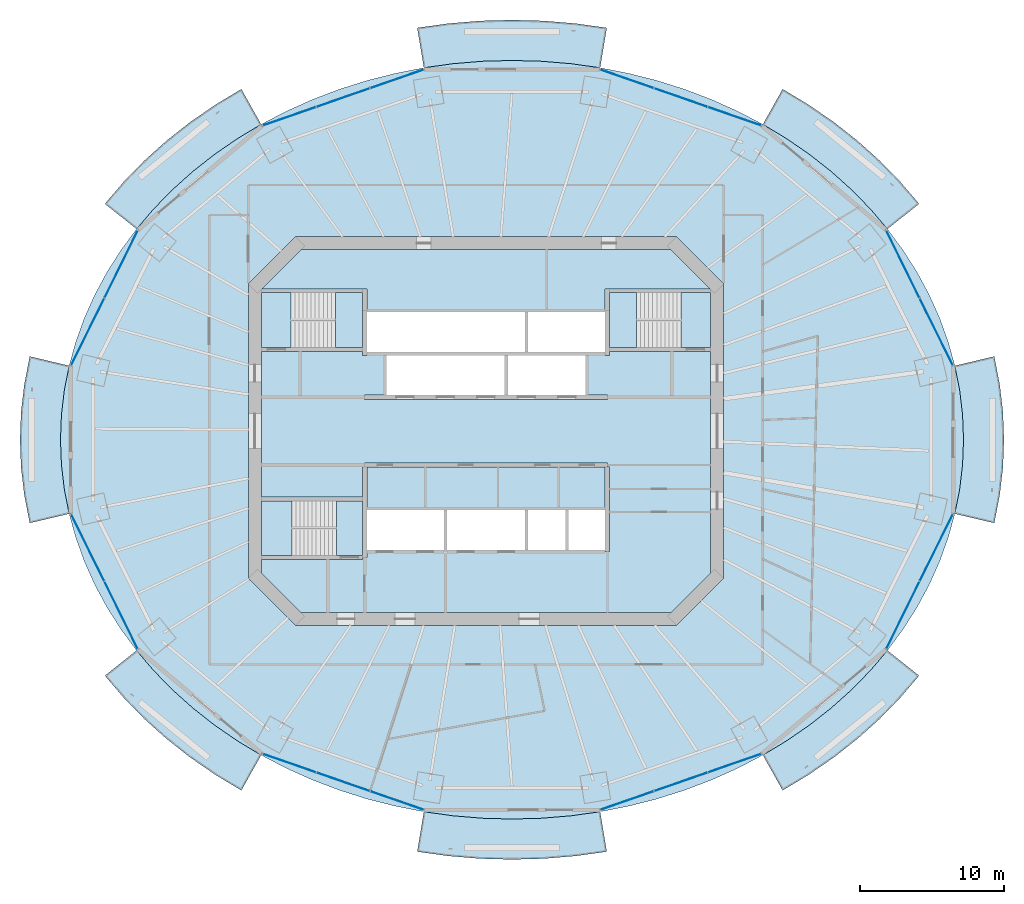
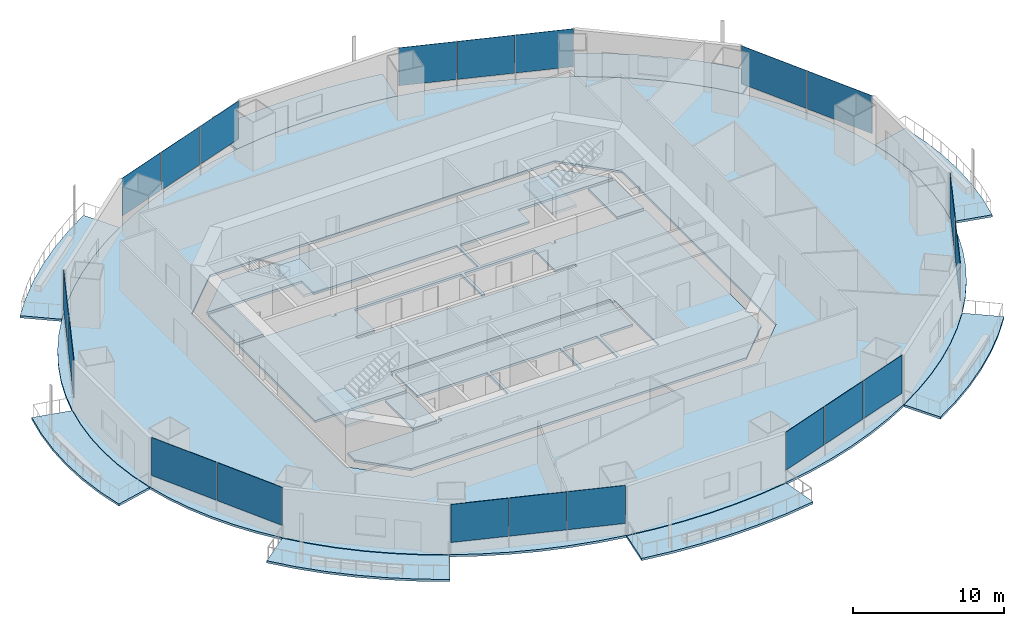
# One storey, part 10 of 20: 20 plates, 16 slabs, 11 elements without a shape of their own.
"""IFC4 building model written with IfcOpenShell, lengths in metres."""

from ifc_helpers import new_model, si_unit, direction, frame, origin, origin_2d, place, context, subcontext, project, spatial, polyline, rectangle, outline, extrude, material, layer, layer_set, type_object, element, aggregate, save


model = new_model("IFC4")

# Units and contexts
model_context = context("Model", 3, precision=1e-05, world=origin(), true_north=direction((0.0, 1.0)))
body_context = subcontext(model_context, "Body", "Model", "MODEL_VIEW")
ifc_project = project(units=[si_unit("LENGTHUNIT", "METRE"), si_unit("AREAUNIT", "SQUARE_METRE"), si_unit("VOLUMEUNIT", "CUBIC_METRE"), si_unit("PLANEANGLEUNIT", "RADIAN"), si_unit("MASSUNIT", "GRAM", prefix="KILO")], contexts=[model_context])

# Site, building, storey
site_placement = place(None, origin())
site = spatial("IfcSite", under=ifc_project, at=site_placement, CompositionType="ELEMENT")
building_placement = place(site_placement, origin())
building = spatial("IfcBuilding", under=site, at=building_placement, Name="Marenthal Gate Tower", CompositionType="ELEMENT")
storey_placement = place(building_placement, frame((0.0, 0.0, 215.0)))
storey = spatial("IfcBuildingStorey", under=building, at=storey_placement, Name="L47", CompositionType="ELEMENT", Elevation=215.0)

# Slabs
ifc_material_1 = material(Name="Concrete 40 MPa", Category="concrete")
ifc_layer_1 = layer(ifc_material_1, 0.179931640625)
ifc_layer_set_1 = layer_set([ifc_layer_1], Name="Balcony deck 180")
slab_type_1 = type_object("IfcSlabType", Name="Balcony deck 180", PredefinedType="USERDEFINED", material=ifc_layer_set_1)
slab_1_placement = place(storey_placement, frame((0.0, 0.0, -0.219970703125)))
element("IfcSlab", 1, at=slab_1_placement, inside=storey, type_object=slab_type_1, Name="Balcony deck L47 bay 2", ObjectType="BALCONY", PredefinedType="USERDEFINED", context=body_context, shape_type="SweptSolid", body=[
    extrude(outline(polyline([(27.783447265625, 13.983642578125), (26.59228515625, 15.3798828125), (25.294921875, 16.707763671875), (23.897216796875, 17.961669921875), (22.404541015625, 19.1357421875), (20.82373046875, 20.2255859375), (19.16162109375, 21.22607421875), (20.531982421875, 23.667724609375), (22.3408203125, 22.5791015625), (24.065185546875, 21.39013671875), (25.697998046875, 20.10546875), (27.23193359375, 18.72998046875), (28.65966796875, 17.2685546875), (29.974609375, 15.726806640625), (27.783447265625, 13.983642578125)])), origin(), (0.0, 0.0, 1.0), 0.179931640625),
])
slab_2_placement = place(storey_placement, frame((0.0, 0.0, -0.219970703125)))
element("IfcSlab", 2, at=slab_2_placement, inside=storey, type_object=slab_type_1, Name="Balcony deck L47 bay 4", ObjectType="BALCONY", PredefinedType="USERDEFINED", context=body_context, shape_type="SweptSolid", body=[
    extrude(outline(polyline([(7.896484375, 25.1455078125), (5.87890625, 25.42529296875), (3.84375, 25.59375), (1.800048828125, 25.64990234375), (-0.243896484375, 25.59375), (-2.27880859375, 25.42529296875), (-4.296630859375, 25.1455078125), (-4.758056640625, 27.9072265625), (-2.586669921875, 28.20849609375), (-0.397705078125, 28.3896484375), (1.800048828125, 28.449951171875), (3.997802734375, 28.3896484375), (6.186767578125, 28.20849609375), (8.358154296875, 27.9072265625), (7.896484375, 25.1455078125)])), origin(), (0.0, 0.0, 1.0), 0.179931640625),
])
slab_3_placement = place(storey_placement, frame((0.0, 0.0, -0.219970703125)))
element("IfcSlab", 3, at=slab_3_placement, inside=storey, type_object=slab_type_1, Name="Balcony deck L47 bay 6", ObjectType="BALCONY", PredefinedType="USERDEFINED", context=body_context, shape_type="SweptSolid", body=[
    extrude(outline(polyline([(-15.5615234375, 21.22607421875), (-17.223876953125, 20.2255859375), (-18.8046875, 19.1357421875), (-20.297119140625, 17.961669921875), (-21.695068359375, 16.707763671875), (-22.9921875, 15.3798828125), (-24.183349609375, 13.983642578125), (-26.374755859375, 15.726806640625), (-25.0595703125, 17.2685546875), (-23.6318359375, 18.72998046875), (-22.09814453125, 20.10546875), (-20.46533203125, 21.39013671875), (-18.74072265625, 22.5791015625), (-16.93212890625, 23.667724609375), (-15.5615234375, 21.22607421875)])), origin(), (0.0, 0.0, 1.0), 0.179931640625),
])
slab_4_placement = place(storey_placement, frame((0.0, 0.0, -0.219970703125)))
element("IfcSlab", 4, at=slab_4_placement, inside=storey, type_object=slab_type_1, Name="Balcony deck L47 bay 8", ObjectType="BALCONY", PredefinedType="USERDEFINED", context=body_context, shape_type="SweptSolid", body=[
    extrude(outline(polyline([(-28.849609375, 4.52099609375), (-29.1826171875, 2.826416015625), (-29.383056640625, 1.11669921875), (-29.449951171875, -0.60009765625), (-29.383056640625, -2.31689453125), (-29.1826171875, -4.0263671875), (-28.849609375, -5.72119140625), (-31.57421875, -6.3662109375), (-31.948974609375, -4.4599609375), (-32.174560546875, -2.53466796875), (-32.25, -0.60009765625), (-32.174560546875, 1.334716796875), (-31.948974609375, 3.259765625), (-31.57421875, 5.166259765625), (-28.849609375, 4.52099609375)])), origin(), (0.0, 0.0, 1.0), 0.179931640625),
])
slab_5_placement = place(storey_placement, frame((0.0, 0.0, -0.219970703125)))
element("IfcSlab", 5, at=slab_5_placement, inside=storey, type_object=slab_type_1, Name="Balcony deck L47 bay 10", ObjectType="BALCONY", PredefinedType="USERDEFINED", context=body_context, shape_type="SweptSolid", body=[
    extrude(outline(polyline([(-24.183349609375, -15.18359375), (-22.9921875, -16.580078125), (-21.695068359375, -17.90771484375), (-20.297119140625, -19.16162109375), (-18.8046875, -20.335693359375), (-17.223876953125, -21.425537109375), (-15.5615234375, -22.426025390625), (-16.93212890625, -24.86767578125), (-18.74072265625, -23.779052734375), (-20.46533203125, -22.590087890625), (-22.09814453125, -21.3056640625), (-23.6318359375, -19.929931640625), (-25.0595703125, -18.468505859375), (-26.374755859375, -16.9267578125), (-24.183349609375, -15.18359375)])), origin(), (0.0, 0.0, 1.0), 0.179931640625),
])
slab_6_placement = place(storey_placement, frame((0.0, 0.0, -0.219970703125)))
element("IfcSlab", 6, at=slab_6_placement, inside=storey, type_object=slab_type_1, Name="Balcony deck L47 bay 12", ObjectType="BALCONY", PredefinedType="USERDEFINED", context=body_context, shape_type="SweptSolid", body=[
    extrude(outline(polyline([(-4.296630859375, -26.345703125), (-2.27880859375, -26.62548828125), (-0.243896484375, -26.793701171875), (1.800048828125, -26.85009765625), (3.84375, -26.793701171875), (5.87890625, -26.62548828125), (7.896484375, -26.345703125), (8.358154296875, -29.107421875), (6.186767578125, -29.408447265625), (3.997802734375, -29.589599609375), (1.800048828125, -29.64990234375), (-0.397705078125, -29.589599609375), (-2.586669921875, -29.408447265625), (-4.758056640625, -29.107421875), (-4.296630859375, -26.345703125)])), origin(), (0.0, 0.0, 1.0), 0.179931640625),
])
slab_7_placement = place(storey_placement, frame((0.0, 0.0, -0.219970703125)))
element("IfcSlab", 7, at=slab_7_placement, inside=storey, type_object=slab_type_1, Name="Balcony deck L47 bay 14", ObjectType="BALCONY", PredefinedType="USERDEFINED", context=body_context, shape_type="SweptSolid", body=[
    extrude(outline(polyline([(19.16162109375, -22.426025390625), (20.82373046875, -21.425537109375), (22.404541015625, -20.335693359375), (23.897216796875, -19.16162109375), (25.294921875, -17.90771484375), (26.59228515625, -16.580078125), (27.783447265625, -15.18359375), (29.974609375, -16.9267578125), (28.65966796875, -18.468505859375), (27.23193359375, -19.929931640625), (25.697998046875, -21.3056640625), (24.065185546875, -22.590087890625), (22.3408203125, -23.779052734375), (20.531982421875, -24.86767578125), (19.16162109375, -22.426025390625)])), origin(), (0.0, 0.0, 1.0), 0.179931640625),
])
slab_8_placement = place(storey_placement, frame((0.0, 0.0, -0.219970703125)))
element("IfcSlab", 8, at=slab_8_placement, inside=storey, type_object=slab_type_1, Name="Balcony deck L47 bay 16", ObjectType="BALCONY", PredefinedType="USERDEFINED", context=body_context, shape_type="SweptSolid", body=[
    extrude(outline(polyline([(32.449462890625, -5.72119140625), (32.78271484375, -4.0263671875), (32.983154296875, -2.31689453125), (33.050048828125, -0.60009765625), (32.983154296875, 1.11669921875), (32.78271484375, 2.826416015625), (32.449462890625, 4.52099609375), (35.174072265625, 5.166259765625), (35.548828125, 3.259765625), (35.774658203125, 1.334716796875), (35.85009765625, -0.60009765625), (35.774658203125, -2.53466796875), (35.548828125, -4.4599609375), (35.174072265625, -6.3662109375), (32.449462890625, -5.72119140625)])), origin(), (0.0, 0.0, 1.0), 0.179931640625),
])
ifc_material_2 = material(Name="Concrete 50 MPa", Category="concrete")
ifc_layer_2 = layer(ifc_material_2, 0.179931640625)
ifc_layer_set_2 = layer_set([ifc_layer_2], Name="Core floor slab 180")
slab_type_2 = type_object("IfcSlabType", Name="Core floor slab 180", PredefinedType="FLOOR", material=ifc_layer_set_2)
slab_9_placement = place(storey_placement, frame((0.0, 0.0, -0.179931640625)))
element("IfcSlab", 9, at=slab_9_placement, inside=storey, type_object=slab_type_2, Name="Core floor L47", PredefinedType="FLOOR", context=body_context, shape_type="SweptSolid", body=[
    extrude(outline(polyline([(12.813720703125, -12.550048828125), (-12.813720703125, -12.550048828125), (-15.550048828125, -9.813720703125), (-15.550048828125, -8.875), (-8.550048828125, -8.875), (-8.550048828125, -8.75), (-8.25, -8.75), (-8.25, -8.239990234375), (-5.60009765625, -8.239990234375), (-2.909912109375, -8.239990234375), (-2.909912109375, -5.4599609375), (-5.60009765625, -5.4599609375), (-8.25, -5.4599609375), (-8.25, -2.5), (8.25, -2.5), (8.25, -5.4599609375), (5.7099609375, -5.4599609375), (5.7099609375, -8.239990234375), (8.25, -8.239990234375), (8.25, -8.35009765625), (8.550048828125, -8.35009765625), (8.550048828125, -2.5), (8.39990234375, -2.5), (8.39990234375, -2.199951171875), (-8.39990234375, -2.199951171875), (-8.39990234375, -2.5), (-8.550048828125, -2.5), (-8.550048828125, -4.574951171875), (-15.550048828125, -4.574951171875), (-15.550048828125, 5.52490234375), (-8.550048828125, 5.52490234375), (-8.550048828125, 5.239990234375), (-8.25, 5.239990234375), (-8.25, 5.4599609375), (-5.60009765625, 5.4599609375), (-2.800048828125, 5.4599609375), (0.0, 5.4599609375), (2.68994140625, 5.4599609375), (2.68994140625, 8.239990234375), (0.0, 8.239990234375), (-2.800048828125, 8.239990234375), (-5.60009765625, 8.239990234375), (-8.25, 8.239990234375), (-8.25, 8.35009765625), (-8.25, 9.824951171875), (-8.550048828125, 9.824951171875), (-15.53857421875, 9.824951171875), (-12.813720703125, 12.550048828125), (12.813720703125, 12.550048828125), (15.53857421875, 9.824951171875), (8.550048828125, 9.824951171875), (8.25, 9.824951171875), (8.25, 8.35009765625), (8.25, 8.239990234375), (5.60009765625, 8.239990234375), (2.909912109375, 8.239990234375), (2.909912109375, 5.4599609375), (5.60009765625, 5.4599609375), (8.25, 5.4599609375), (8.25, 5.239990234375), (8.550048828125, 5.239990234375), (8.550048828125, 5.52490234375), (15.550048828125, 5.52490234375), (15.550048828125, -9.813720703125), (12.813720703125, -12.550048828125)]), holes=[polyline([(2.68994140625, -8.239990234375), (2.68994140625, -5.4599609375), (0.0, -5.4599609375), (-2.68994140625, -5.4599609375), (-2.68994140625, -8.239990234375), (0.0, -8.239990234375), (2.68994140625, -8.239990234375)]), polyline([(-6.889892578125, 5.239990234375), (-6.889892578125, 2.5), (-8.39990234375, 2.5), (-8.39990234375, 2.199951171875), (8.39990234375, 2.199951171875), (8.39990234375, 2.5), (6.889892578125, 2.5), (6.889892578125, 5.239990234375), (4.199951171875, 5.239990234375), (1.510009765625, 5.239990234375), (1.510009765625, 2.5), (1.2900390625, 2.5), (1.2900390625, 5.239990234375), (-1.39990234375, 5.239990234375), (-4.199951171875, 5.239990234375), (-6.889892578125, 5.239990234375)]), polyline([(5.489990234375, -8.239990234375), (5.489990234375, -5.4599609375), (2.909912109375, -5.4599609375), (2.909912109375, -8.239990234375), (5.489990234375, -8.239990234375)])]), origin(), (0.0, 0.0, 1.0), 0.179931640625),
])
slab_10_placement = place(storey_placement, frame((0.0, 0.0, -0.179931640625)))
element("IfcSlab", 10, at=slab_10_placement, inside=storey, type_object=slab_type_2, Name="Core floor L47", PredefinedType="FLOOR", context=body_context, shape_type="SweptSolid", body=[
    extrude(outline(polyline([(15.550048828125, 5.77490234375), (13.5, 5.77490234375), (13.5, 9.574951171875), (15.550048828125, 9.574951171875), (15.550048828125, 5.77490234375)])), origin(), (0.0, 0.0, 1.0), 0.179931640625),
])
slab_11_placement = place(storey_placement, frame((0.0, 0.0, -0.179931640625)))
element("IfcSlab", 11, at=slab_11_placement, inside=storey, type_object=slab_type_2, Name="Core floor L47", PredefinedType="FLOOR", context=body_context, shape_type="SweptSolid", body=[
    extrude(outline(polyline([(-15.550048828125, 9.574951171875), (-13.5, 9.574951171875), (-13.5, 5.77490234375), (-15.550048828125, 5.77490234375), (-15.550048828125, 9.574951171875)])), origin(), (0.0, 0.0, 1.0), 0.179931640625),
])
slab_12_placement = place(storey_placement, frame((0.0, 0.0, -0.179931640625)))
element("IfcSlab", 12, at=slab_12_placement, inside=storey, type_object=slab_type_2, Name="Core floor L47", PredefinedType="FLOOR", context=body_context, shape_type="SweptSolid", body=[
    extrude(outline(polyline([(-8.550048828125, -8.625), (-10.35009765625, -8.625), (-10.35009765625, -4.824951171875), (-8.550048828125, -4.824951171875), (-8.550048828125, -8.625)])), origin(), (0.0, 0.0, 1.0), 0.179931640625),
])
ifc_material_3 = material(Name="Concrete 35 MPa", Category="concrete")
ifc_layer_3 = layer(ifc_material_3, 0.179931640625)
ifc_layer_set_3 = layer_set([ifc_layer_3], Name="Floor slab 180")
slab_type_3 = type_object("IfcSlabType", Name="Floor slab 180", PredefinedType="FLOOR", material=ifc_layer_set_3)
slab_13_placement = place(storey_placement, frame((0.0, 0.0, -0.179931640625)))
element("IfcSlab", 13, at=slab_13_placement, inside=storey, type_object=slab_type_3, Name="SL-L47-01", PredefinedType="FLOOR", context=body_context, shape_type="SweptSolid", body=[
    extrude(outline(polyline([(33.050048828125, -0.60009765625), (32.983154296875, 1.11669921875), (32.78271484375, 2.826416015625), (32.449462890625, 4.52099609375), (31.985107421875, 6.194091796875), (31.3916015625, 7.837890625), (30.671142578125, 9.4453125), (29.827392578125, 11.010009765625), (28.86328125, 12.52490234375), (27.783447265625, 13.983642578125), (26.59228515625, 15.3798828125), (25.294921875, 16.707763671875), (23.897216796875, 17.961669921875), (22.404541015625, 19.1357421875), (20.82373046875, 20.2255859375), (19.16162109375, 21.22607421875), (17.425048828125, 22.13330078125), (15.62158203125, 22.94287109375), (13.7587890625, 23.65185546875), (11.844970703125, 24.2568359375), (9.88818359375, 24.755615234375), (7.896484375, 25.1455078125), (5.87890625, 25.42529296875), (3.84375, 25.59375), (1.800048828125, 25.64990234375), (-0.243896484375, 25.59375), (-2.27880859375, 25.42529296875), (-4.296630859375, 25.1455078125), (-6.2880859375, 24.755615234375), (-8.2451171875, 24.2568359375), (-10.158935546875, 23.65185546875), (-12.021484375, 22.94287109375), (-13.824951171875, 22.13330078125), (-15.5615234375, 21.22607421875), (-17.223876953125, 20.2255859375), (-18.8046875, 19.1357421875), (-20.297119140625, 17.961669921875), (-21.695068359375, 16.707763671875), (-22.9921875, 15.3798828125), (-24.183349609375, 13.983642578125), (-25.26318359375, 12.52490234375), (-26.227294921875, 11.010009765625), (-27.0712890625, 9.4453125), (-27.79150390625, 7.837890625), (-28.38525390625, 6.194091796875), (-28.849609375, 4.52099609375), (-29.1826171875, 2.826416015625), (-29.383056640625, 1.11669921875), (-29.449951171875, -0.60009765625), (-29.383056640625, -2.31689453125), (-29.1826171875, -4.0263671875), (-28.849609375, -5.72119140625), (-28.38525390625, -7.39404296875), (-27.79150390625, -9.037841796875), (-27.0712890625, -10.6455078125), (-26.227294921875, -12.210205078125), (-25.26318359375, -13.72509765625), (-24.183349609375, -15.18359375), (-22.9921875, -16.580078125), (-21.695068359375, -17.90771484375), (-20.297119140625, -19.16162109375), (-18.8046875, -20.335693359375), (-17.223876953125, -21.425537109375), (-15.5615234375, -22.426025390625), (-13.824951171875, -23.333251953125), (-12.021484375, -24.142822265625), (-10.158935546875, -24.851806640625), (-8.2451171875, -25.456787109375), (-6.2880859375, -25.95556640625), (-4.296630859375, -26.345703125), (-2.27880859375, -26.62548828125), (-0.243896484375, -26.793701171875), (1.800048828125, -26.85009765625), (3.84375, -26.793701171875), (5.87890625, -26.62548828125), (7.896484375, -26.345703125), (9.88818359375, -25.95556640625), (11.844970703125, -25.456787109375), (13.7587890625, -24.851806640625), (15.62158203125, -24.142822265625), (17.425048828125, -23.333251953125), (19.16162109375, -22.426025390625), (20.82373046875, -21.425537109375), (22.404541015625, -20.335693359375), (23.897216796875, -19.16162109375), (25.294921875, -17.90771484375), (26.59228515625, -16.580078125), (27.783447265625, -15.18359375), (28.86328125, -13.72509765625), (29.827392578125, -12.210205078125), (30.671142578125, -10.6455078125), (31.3916015625, -9.037841796875), (31.985107421875, -7.39404296875), (32.449462890625, -5.72119140625), (32.78271484375, -4.0263671875), (32.983154296875, -2.31689453125), (33.050048828125, -0.60009765625)]), holes=[polyline([(13.186279296875, -13.449951171875), (16.449951171875, -10.186279296875), (16.449951171875, 10.186279296875), (13.186279296875, 13.449951171875), (-13.186279296875, 13.449951171875), (-16.449951171875, 10.186279296875), (-16.449951171875, -10.186279296875), (-13.186279296875, -13.449951171875), (13.186279296875, -13.449951171875)])]), origin(), (0.0, 0.0, 1.0), 0.179931640625),
])

# Curtain wall, plates
ifc_material_4 = material(Name="Aluminium and glass", Category="aluminium")
curtain_wall_type = type_object("IfcCurtainWallType", Name="Curtain wall typical mid", PredefinedType="NOTDEFINED", material=ifc_material_4)
curtain_wall_1_placement = place(storey_placement, origin())
curtain_wall_1 = element("IfcCurtainWall", 14, at=curtain_wall_1_placement, inside=storey, type_object=curtain_wall_type, Name="Curtain wall L47 bay 1", PredefinedType="NOTDEFINED")
ifc_material_5 = material(Name="Glass, laminated insulating unit", Category="glass")
ifc_layer_4 = layer(ifc_material_5, 0.030029296875)
ifc_layer_set_4 = layer_set([ifc_layer_4], Name="Glass panel 30 typical mid")
plate_type = type_object("IfcPlateType", Name="Glass panel 30 typical mid", PredefinedType="CURTAIN_PANEL", material=ifc_layer_set_4)
plate_1_placement = place(storey_placement, frame((31.1630859375, 6.865966796875, 0.89990234375), z_axis=(0.0, 0.0, 1.0), x_axis=(-0.442523466153, 0.896756924648, 0.0)))
plate_1 = element("IfcPlate", 15, at=plate_1_placement, type_object=plate_type, Name="Glass panel L47 bay 1.1", PredefinedType="CURTAIN_PANEL", context=body_context, shape_type="SweptSolid", body=[
    extrude(rectangle(XDim=5.161865234375, YDim=0.030029296875, at=origin_2d()), origin(), (0.0, 0.0, 1.0), 3.070068359375),
])
plate_2_placement = place(storey_placement, frame((28.852294921875, 11.548828125, 0.89990234375), z_axis=(0.0, 0.0, 1.0), x_axis=(-0.442523466153, 0.896756924648, 0.0)))
plate_2 = element("IfcPlate", 16, at=plate_2_placement, type_object=plate_type, Name="Glass panel L47 bay 1.2", PredefinedType="CURTAIN_PANEL", context=body_context, shape_type="SweptSolid", body=[
    extrude(rectangle(XDim=5.161865234375, YDim=0.030029296875, at=origin_2d()), origin(), (0.0, 0.0, 1.0), 3.070068359375),
])
aggregate(curtain_wall_1, [plate_1, plate_2])

curtain_wall_2_placement = place(storey_placement, origin())
curtain_wall_2 = element("IfcCurtainWall", 17, at=curtain_wall_2_placement, inside=storey, type_object=curtain_wall_type, Name="Curtain wall L47 bay 3", PredefinedType="NOTDEFINED")
plate_3_placement = place(storey_placement, frame((17.205810546875, 21.783203125, 0.89990234375), z_axis=(0.0, 0.0, 1.0), x_axis=(-0.944538576348, 0.328400483847, 0.0)))
plate_3 = element("IfcPlate", 18, at=plate_3_placement, type_object=plate_type, Name="Glass panel L47 bay 3.1", PredefinedType="CURTAIN_PANEL", context=body_context, shape_type="SweptSolid", body=[
    extrude(rectangle(XDim=3.880126953125, YDim=0.030029296875, at=origin_2d()), origin(), (0.0, 0.0, 1.0), 3.070068359375),
])
plate_4_placement = place(storey_placement, frame((13.484130859375, 23.0771484375, 0.89990234375), z_axis=(0.0, 0.0, 1.0), x_axis=(-0.944538576348, 0.328400483847, 0.0)))
plate_4 = element("IfcPlate", 19, at=plate_4_placement, type_object=plate_type, Name="Glass panel L47 bay 3.2", PredefinedType="CURTAIN_PANEL", context=body_context, shape_type="SweptSolid", body=[
    extrude(rectangle(XDim=3.880126953125, YDim=0.030029296875, at=origin_2d()), origin(), (0.0, 0.0, 1.0), 3.070068359375),
])
plate_5_placement = place(storey_placement, frame((9.762451171875, 24.37109375, 0.89990234375), z_axis=(0.0, 0.0, 1.0), x_axis=(-0.944538576348, 0.328400483847, 0.0)))
plate_5 = element("IfcPlate", 20, at=plate_5_placement, type_object=plate_type, Name="Glass panel L47 bay 3.3", PredefinedType="CURTAIN_PANEL", context=body_context, shape_type="SweptSolid", body=[
    extrude(rectangle(XDim=3.880126953125, YDim=0.030029296875, at=origin_2d()), origin(), (0.0, 0.0, 1.0), 3.070068359375),
])
aggregate(curtain_wall_2, [plate_3, plate_4, plate_5])

curtain_wall_3_placement = place(storey_placement, origin())
curtain_wall_3 = element("IfcCurtainWall", 21, at=curtain_wall_3_placement, inside=storey, type_object=curtain_wall_type, Name="Curtain wall L47 bay 5", PredefinedType="NOTDEFINED")
plate_6_placement = place(storey_placement, frame((-6.162353515625, 24.37109375, 0.89990234375), z_axis=(0.0, 0.0, 1.0), x_axis=(-0.944538576348, -0.328400483847, 0.0)))
plate_6 = element("IfcPlate", 22, at=plate_6_placement, type_object=plate_type, Name="Glass panel L47 bay 5.1", PredefinedType="CURTAIN_PANEL", context=body_context, shape_type="SweptSolid", body=[
    extrude(rectangle(XDim=3.880126953125, YDim=0.030029296875, at=origin_2d()), origin(), (0.0, 0.0, 1.0), 3.070068359375),
])
plate_7_placement = place(storey_placement, frame((-9.884033203125, 23.0771484375, 0.89990234375), z_axis=(0.0, 0.0, 1.0), x_axis=(-0.944538576348, -0.328400483847, 0.0)))
plate_7 = element("IfcPlate", 23, at=plate_7_placement, type_object=plate_type, Name="Glass panel L47 bay 5.2", PredefinedType="CURTAIN_PANEL", context=body_context, shape_type="SweptSolid", body=[
    extrude(rectangle(XDim=3.880126953125, YDim=0.030029296875, at=origin_2d()), origin(), (0.0, 0.0, 1.0), 3.070068359375),
])
plate_8_placement = place(storey_placement, frame((-13.605712890625, 21.783203125, 0.89990234375), z_axis=(0.0, 0.0, 1.0), x_axis=(-0.944538576348, -0.328400483847, 0.0)))
plate_8 = element("IfcPlate", 24, at=plate_8_placement, type_object=plate_type, Name="Glass panel L47 bay 5.3", PredefinedType="CURTAIN_PANEL", context=body_context, shape_type="SweptSolid", body=[
    extrude(rectangle(XDim=3.880126953125, YDim=0.030029296875, at=origin_2d()), origin(), (0.0, 0.0, 1.0), 3.070068359375),
])
aggregate(curtain_wall_3, [plate_6, plate_7, plate_8])

curtain_wall_4_placement = place(storey_placement, origin())
curtain_wall_4 = element("IfcCurtainWall", 25, at=curtain_wall_4_placement, inside=storey, type_object=curtain_wall_type, Name="Curtain wall L47 bay 7", PredefinedType="NOTDEFINED")
plate_9_placement = place(storey_placement, frame((-25.252197265625, 11.548828125, 0.89990234375), z_axis=(0.0, 0.0, 1.0), x_axis=(-0.442523466153, -0.896756924648, 0.0)))
plate_9 = element("IfcPlate", 26, at=plate_9_placement, type_object=plate_type, Name="Glass panel L47 bay 7.1", PredefinedType="CURTAIN_PANEL", context=body_context, shape_type="SweptSolid", body=[
    extrude(rectangle(XDim=5.161865234375, YDim=0.030029296875, at=origin_2d()), origin(), (0.0, 0.0, 1.0), 3.070068359375),
])
plate_10_placement = place(storey_placement, frame((-27.56298828125, 6.865966796875, 0.89990234375), z_axis=(0.0, 0.0, 1.0), x_axis=(-0.442523466153, -0.896756924648, 0.0)))
plate_10 = element("IfcPlate", 27, at=plate_10_placement, type_object=plate_type, Name="Glass panel L47 bay 7.2", PredefinedType="CURTAIN_PANEL", context=body_context, shape_type="SweptSolid", body=[
    extrude(rectangle(XDim=5.161865234375, YDim=0.030029296875, at=origin_2d()), origin(), (0.0, 0.0, 1.0), 3.070068359375),
])
aggregate(curtain_wall_4, [plate_9, plate_10])

curtain_wall_5_placement = place(storey_placement, origin())
curtain_wall_5 = element("IfcCurtainWall", 28, at=curtain_wall_5_placement, inside=storey, type_object=curtain_wall_type, Name="Curtain wall L47 bay 9", PredefinedType="NOTDEFINED")
plate_11_placement = place(storey_placement, frame((-27.563232421875, -8.06591796875, 0.89990234375), z_axis=(0.0, 0.0, 1.0), x_axis=(0.442523466153, -0.896756924648, 0.0)))
plate_11 = element("IfcPlate", 29, at=plate_11_placement, type_object=plate_type, Name="Glass panel L47 bay 9.1", PredefinedType="CURTAIN_PANEL", context=body_context, shape_type="SweptSolid", body=[
    extrude(rectangle(XDim=5.161865234375, YDim=0.030029296875, at=origin_2d()), origin(), (0.0, 0.0, 1.0), 3.070068359375),
])
plate_12_placement = place(storey_placement, frame((-25.252197265625, -12.748779296875, 0.89990234375), z_axis=(0.0, 0.0, 1.0), x_axis=(0.442523466153, -0.896756924648, 0.0)))
plate_12 = element("IfcPlate", 30, at=plate_12_placement, type_object=plate_type, Name="Glass panel L47 bay 9.2", PredefinedType="CURTAIN_PANEL", context=body_context, shape_type="SweptSolid", body=[
    extrude(rectangle(XDim=5.161865234375, YDim=0.030029296875, at=origin_2d()), origin(), (0.0, 0.0, 1.0), 3.070068359375),
])
aggregate(curtain_wall_5, [plate_11, plate_12])

curtain_wall_6_placement = place(storey_placement, origin())
curtain_wall_6 = element("IfcCurtainWall", 31, at=curtain_wall_6_placement, inside=storey, type_object=curtain_wall_type, Name="Curtain wall L47 bay 11", PredefinedType="NOTDEFINED")
plate_13_placement = place(storey_placement, frame((-13.605712890625, -22.983154296875, 0.89990234375), z_axis=(0.0, 0.0, 1.0), x_axis=(0.944538576348, -0.328400483847, 0.0)))
plate_13 = element("IfcPlate", 32, at=plate_13_placement, type_object=plate_type, Name="Glass panel L47 bay 11.1", PredefinedType="CURTAIN_PANEL", context=body_context, shape_type="SweptSolid", body=[
    extrude(rectangle(XDim=3.880126953125, YDim=0.030029296875, at=origin_2d()), origin(), (0.0, 0.0, 1.0), 3.070068359375),
])
plate_14_placement = place(storey_placement, frame((-9.884033203125, -24.277099609375, 0.89990234375), z_axis=(0.0, 0.0, 1.0), x_axis=(0.944538576348, -0.328400483847, 0.0)))
plate_14 = element("IfcPlate", 33, at=plate_14_placement, type_object=plate_type, Name="Glass panel L47 bay 11.2", PredefinedType="CURTAIN_PANEL", context=body_context, shape_type="SweptSolid", body=[
    extrude(rectangle(XDim=3.880126953125, YDim=0.030029296875, at=origin_2d()), origin(), (0.0, 0.0, 1.0), 3.070068359375),
])
plate_15_placement = place(storey_placement, frame((-6.162353515625, -25.571044921875, 0.89990234375), z_axis=(0.0, 0.0, 1.0), x_axis=(0.944538576348, -0.328400483847, 0.0)))
plate_15 = element("IfcPlate", 34, at=plate_15_placement, type_object=plate_type, Name="Glass panel L47 bay 11.3", PredefinedType="CURTAIN_PANEL", context=body_context, shape_type="SweptSolid", body=[
    extrude(rectangle(XDim=3.880126953125, YDim=0.030029296875, at=origin_2d()), origin(), (0.0, 0.0, 1.0), 3.070068359375),
])
aggregate(curtain_wall_6, [plate_13, plate_14, plate_15])

curtain_wall_7_placement = place(storey_placement, origin())
curtain_wall_7 = element("IfcCurtainWall", 35, at=curtain_wall_7_placement, inside=storey, type_object=curtain_wall_type, Name="Curtain wall L47 bay 13", PredefinedType="NOTDEFINED")
plate_16_placement = place(storey_placement, frame((9.762451171875, -25.571044921875, 0.89990234375), z_axis=(0.0, 0.0, 1.0), x_axis=(0.944538576348, 0.328400483847, 0.0)))
plate_16 = element("IfcPlate", 36, at=plate_16_placement, type_object=plate_type, Name="Glass panel L47 bay 13.1", PredefinedType="CURTAIN_PANEL", context=body_context, shape_type="SweptSolid", body=[
    extrude(rectangle(XDim=3.880126953125, YDim=0.030029296875, at=origin_2d()), origin(), (0.0, 0.0, 1.0), 3.070068359375),
])
plate_17_placement = place(storey_placement, frame((13.484130859375, -24.277099609375, 0.89990234375), z_axis=(0.0, 0.0, 1.0), x_axis=(0.944538576348, 0.328400483847, 0.0)))
plate_17 = element("IfcPlate", 37, at=plate_17_placement, type_object=plate_type, Name="Glass panel L47 bay 13.2", PredefinedType="CURTAIN_PANEL", context=body_context, shape_type="SweptSolid", body=[
    extrude(rectangle(XDim=3.880126953125, YDim=0.030029296875, at=origin_2d()), origin(), (0.0, 0.0, 1.0), 3.070068359375),
])
plate_18_placement = place(storey_placement, frame((17.205810546875, -22.983154296875, 0.89990234375), z_axis=(0.0, 0.0, 1.0), x_axis=(0.944538576348, 0.328400483847, 0.0)))
plate_18 = element("IfcPlate", 38, at=plate_18_placement, type_object=plate_type, Name="Glass panel L47 bay 13.3", PredefinedType="CURTAIN_PANEL", context=body_context, shape_type="SweptSolid", body=[
    extrude(rectangle(XDim=3.880126953125, YDim=0.030029296875, at=origin_2d()), origin(), (0.0, 0.0, 1.0), 3.070068359375),
])
aggregate(curtain_wall_7, [plate_16, plate_17, plate_18])

curtain_wall_8_placement = place(storey_placement, origin())
curtain_wall_8 = element("IfcCurtainWall", 39, at=curtain_wall_8_placement, inside=storey, type_object=curtain_wall_type, Name="Curtain wall L47 bay 15", PredefinedType="NOTDEFINED")
plate_19_placement = place(storey_placement, frame((28.852294921875, -12.748779296875, 0.89990234375), z_axis=(0.0, 0.0, 1.0), x_axis=(0.442523466153, 0.896756924648, 0.0)))
plate_19 = element("IfcPlate", 40, at=plate_19_placement, type_object=plate_type, Name="Glass panel L47 bay 15.1", PredefinedType="CURTAIN_PANEL", context=body_context, shape_type="SweptSolid", body=[
    extrude(rectangle(XDim=5.161865234375, YDim=0.030029296875, at=origin_2d()), origin(), (0.0, 0.0, 1.0), 3.070068359375),
])
plate_20_placement = place(storey_placement, frame((31.1630859375, -8.06591796875, 0.89990234375), z_axis=(0.0, 0.0, 1.0), x_axis=(0.442523466153, 0.896756924648, 0.0)))
plate_20 = element("IfcPlate", 41, at=plate_20_placement, type_object=plate_type, Name="Glass panel L47 bay 15.2", PredefinedType="CURTAIN_PANEL", context=body_context, shape_type="SweptSolid", body=[
    extrude(rectangle(XDim=5.161865234375, YDim=0.030029296875, at=origin_2d()), origin(), (0.0, 0.0, 1.0), 3.070068359375),
])
aggregate(curtain_wall_8, [plate_19, plate_20])

# Stair, slab
ifc_material_6 = material(Name="Concrete 40 MPa", Category="concrete")
stair_type = type_object("IfcStairType", Name="Exit stair 1800", PredefinedType="HALF_TURN_STAIR", material=ifc_material_6)
stair_1_placement = place(storey_placement, origin())
stair_1 = element("IfcStair", 42, at=stair_1_placement, inside=storey, type_object=stair_type, Name="Stair ST1", PredefinedType="HALF_TURN_STAIR")
ifc_material_7 = material(Name="Concrete 40 MPa", Category="concrete")
ifc_layer_5 = layer(ifc_material_7, 0.199951171875)
ifc_layer_set_5 = layer_set([ifc_layer_5], Name="Stair landing 200")
slab_type_4 = type_object("IfcSlabType", Name="Stair landing 200", PredefinedType="LANDING", material=ifc_layer_set_5)
slab_14_placement = place(storey_placement, frame((0.0, 0.0, 1.875)))
slab_14 = element("IfcSlab", 43, at=slab_14_placement, type_object=slab_type_4, Name="ST1 landing 1", PredefinedType="LANDING", context=body_context, shape_type="SweptSolid", body=[
    extrude(outline(polyline([(-10.419921875, 5.77490234375), (-8.550048828125, 5.77490234375), (-8.550048828125, 9.574951171875), (-10.419921875, 9.574951171875), (-10.419921875, 5.77490234375)])), origin(), (0.0, 0.0, 1.0), 0.199951171875),
])
aggregate(stair_1, [slab_14])

stair_2_placement = place(storey_placement, origin())
stair_2 = element("IfcStair", 44, at=stair_2_placement, inside=storey, type_object=stair_type, Name="Stair ST2", PredefinedType="HALF_TURN_STAIR")
slab_15_placement = place(storey_placement, frame((0.0, 0.0, 1.875)))
slab_15 = element("IfcSlab", 45, at=slab_15_placement, type_object=slab_type_4, Name="ST2 landing 1", PredefinedType="LANDING", context=body_context, shape_type="SweptSolid", body=[
    extrude(outline(polyline([(-15.550048828125, -8.625), (-13.429931640625, -8.625), (-13.429931640625, -4.824951171875), (-15.550048828125, -4.824951171875), (-15.550048828125, -8.625)])), origin(), (0.0, 0.0, 1.0), 0.199951171875),
])
aggregate(stair_2, [slab_15])

stair_3_placement = place(storey_placement, origin())
stair_3 = element("IfcStair", 46, at=stair_3_placement, inside=storey, type_object=stair_type, Name="Stair ST3", PredefinedType="HALF_TURN_STAIR")
slab_16_placement = place(storey_placement, frame((0.0, 0.0, 1.875)))
slab_16 = element("IfcSlab", 47, at=slab_16_placement, type_object=slab_type_4, Name="ST3 landing 1", PredefinedType="LANDING", context=body_context, shape_type="SweptSolid", body=[
    extrude(outline(polyline([(8.550048828125, 5.77490234375), (10.419921875, 5.77490234375), (10.419921875, 9.574951171875), (8.550048828125, 9.574951171875), (8.550048828125, 5.77490234375)])), origin(), (0.0, 0.0, 1.0), 0.199951171875),
])
aggregate(stair_3, [slab_16])

save(model, "model.ifc")
